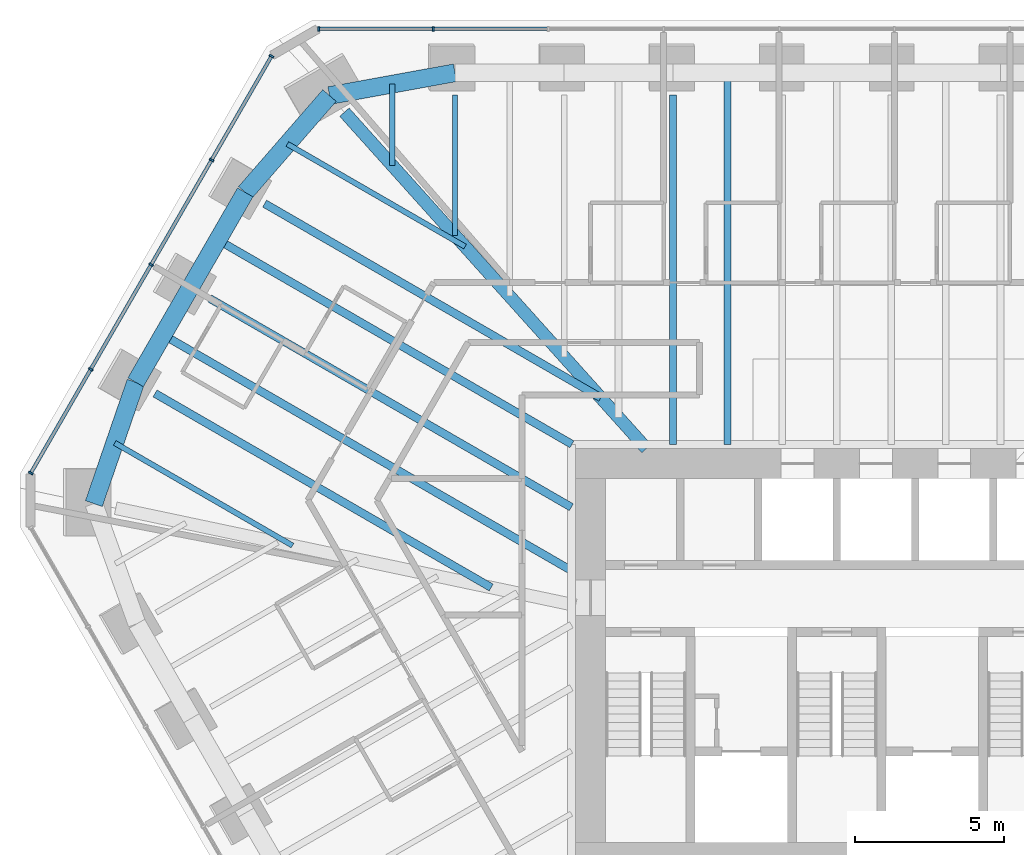
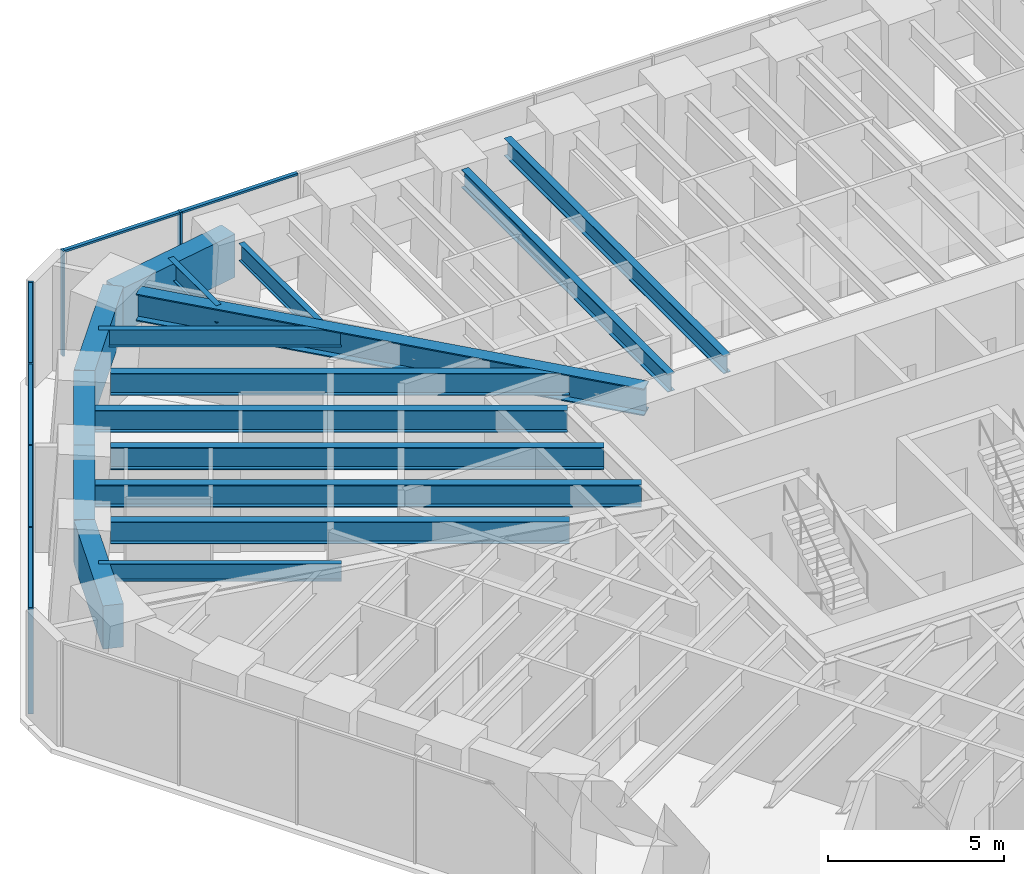
# One storey, part 7 of 17: 17 beams, 13 members, 2 elements without a shape of their own.
"""IFC4 building model written with IfcOpenShell, lengths in metres."""

from ifc_helpers import new_model, si_unit, direction, frame, origin, origin_2d, place, context, subcontext, project, spatial, rectangle, i_section, extrude, material, material_profile, profile_set, type_object, element, aggregate, save


model = new_model("IFC4")

# Units and contexts
model_context = context("Model", 3, precision=1e-05, world=origin(), true_north=direction((0.0, 1.0)))
body_context = subcontext(model_context, "Body", "Model", "MODEL_VIEW")
ifc_project = project(units=[si_unit("LENGTHUNIT", "METRE"), si_unit("AREAUNIT", "SQUARE_METRE"), si_unit("VOLUMEUNIT", "CUBIC_METRE"), si_unit("PLANEANGLEUNIT", "RADIAN"), si_unit("MASSUNIT", "GRAM", prefix="KILO")], contexts=[model_context])

# Site, building, storey
site_placement = place(None, origin())
site = spatial("IfcSite", under=ifc_project, at=site_placement, CompositionType="ELEMENT")
building_placement = place(site_placement, origin())
building = spatial("IfcBuilding", under=site, at=building_placement, Name="Sandreach Pilgrim Tower", CompositionType="ELEMENT")
storey_placement = place(building_placement, frame((0.0, 0.0, 232.60009765625)))
storey = spatial("IfcBuildingStorey", under=building, at=storey_placement, Name="L58", CompositionType="ELEMENT", Elevation=232.60009765625)

# Curtain wall, members
ifc_material_1 = material(Name="Aluminium framed curtain wall", Category="aluminium")
curtain_wall_type = type_object("IfcCurtainWallType", Name="Upper hotel tower curtain wall", PredefinedType="NOTDEFINED", material=ifc_material_1)
curtain_wall_1_placement = place(storey_placement, origin())
curtain_wall_1 = element("IfcCurtainWall", 1, at=curtain_wall_1_placement, inside=storey, type_object=curtain_wall_type, Name="CW-3 L58 N", PredefinedType="NOTDEFINED")
ifc_material_2 = material(Name="Aluminium extrusion", Category="aluminium")
ifc_material_profile_1 = material_profile(ifc_material_2, rectangle(XDim=0.06494140625, YDim=0.159912109375, at=origin_2d()), Name="CW-3M 65X160")
ifc_profile_set_1 = profile_set([ifc_material_profile_1], Name="Aluminium extrusion")
member_type_1 = type_object("IfcMemberType", Name="CW-3 mullion", PredefinedType="MULLION", material=ifc_profile_set_1)
member_1_placement = place(storey_placement, frame((-17.357421875, 21.16015625, 0.0), z_axis=(0.0, 0.0, 1.0), x_axis=(1.0, 0.0, 0.0)))
member_1 = element("IfcMember", 2, at=member_1_placement, type_object=member_type_1, Name="CW-3 mullion 1", PredefinedType="MULLION", context=body_context, shape_type="SweptSolid", body=[
    extrude(rectangle(XDim=0.06494140625, YDim=0.159912109375, at=origin_2d()), origin(), (0.0, 0.0, 1.0), 3.639892578125),
])
member_2_placement = place(storey_placement, frame((-13.525390625, 21.16015625, 0.0), z_axis=(0.0, 0.0, 1.0), x_axis=(1.0, 0.0, 0.0)))
member_2 = element("IfcMember", 3, at=member_2_placement, type_object=member_type_1, Name="CW-3 mullion 2", PredefinedType="MULLION", context=body_context, shape_type="SweptSolid", body=[
    extrude(rectangle(XDim=0.06494140625, YDim=0.159912109375, at=origin_2d()), origin(), (0.0, 0.0, 1.0), 3.639892578125),
])

curtain_wall_2_placement = place(storey_placement, origin())
curtain_wall_2 = element("IfcCurtainWall", 4, at=curtain_wall_2_placement, inside=storey, type_object=curtain_wall_type, Name="CW-3 L58 NW", PredefinedType="NOTDEFINED")
member_3_placement = place(storey_placement, frame((-27.00390625, 6.278076171875, 0.0), z_axis=(0.0, 0.0, 1.0), x_axis=(0.5, 0.866025403784, 0.0)))
member_3 = element("IfcMember", 5, at=member_3_placement, type_object=member_type_1, Name="CW-3 mullion 1", PredefinedType="MULLION", context=body_context, shape_type="SweptSolid", body=[
    extrude(rectangle(XDim=0.06494140625, YDim=0.159912109375, at=origin_2d()), origin(), (0.0, 0.0, 1.0), 3.639892578125),
])
member_4_placement = place(storey_placement, frame((-24.995849609375, 9.75634765625, 0.0), z_axis=(0.0, 0.0, 1.0), x_axis=(0.5, 0.866025403784, 0.0)))
member_4 = element("IfcMember", 6, at=member_4_placement, type_object=member_type_1, Name="CW-3 mullion 2", PredefinedType="MULLION", context=body_context, shape_type="SweptSolid", body=[
    extrude(rectangle(XDim=0.06494140625, YDim=0.159912109375, at=origin_2d()), origin(), (0.0, 0.0, 1.0), 3.639892578125),
])
member_5_placement = place(storey_placement, frame((-22.971435546875, 13.262451171875, 0.0), z_axis=(0.0, 0.0, 1.0), x_axis=(0.5, 0.866025403784, 0.0)))
member_5 = element("IfcMember", 7, at=member_5_placement, type_object=member_type_1, Name="CW-3 mullion 3", PredefinedType="MULLION", context=body_context, shape_type="SweptSolid", body=[
    extrude(rectangle(XDim=0.06494140625, YDim=0.159912109375, at=origin_2d()), origin(), (0.0, 0.0, 1.0), 3.639892578125),
])
member_6_placement = place(storey_placement, frame((-20.947021484375, 16.768798828125, 0.0), z_axis=(0.0, 0.0, 1.0), x_axis=(0.5, 0.866025403784, 0.0)))
member_6 = element("IfcMember", 8, at=member_6_placement, type_object=member_type_1, Name="CW-3 mullion 4", PredefinedType="MULLION", context=body_context, shape_type="SweptSolid", body=[
    extrude(rectangle(XDim=0.06494140625, YDim=0.159912109375, at=origin_2d()), origin(), (0.0, 0.0, 1.0), 3.639892578125),
])
member_7_placement = place(storey_placement, frame((-18.93896484375, 20.2470703125, 0.0), z_axis=(0.0, 0.0, 1.0), x_axis=(0.5, 0.866025403784, 0.0)))
member_7 = element("IfcMember", 9, at=member_7_placement, type_object=member_type_1, Name="CW-3 mullion 5", PredefinedType="MULLION", context=body_context, shape_type="SweptSolid", body=[
    extrude(rectangle(XDim=0.06494140625, YDim=0.159912109375, at=origin_2d()), origin(), (0.0, 0.0, 1.0), 3.639892578125),
])

# Member
ifc_material_3 = material(Name="Aluminium extrusion", Category="aluminium")
ifc_material_profile_2 = material_profile(ifc_material_3, rectangle(XDim=0.1201171875, YDim=0.070068359375, at=origin_2d()), Name="CW-3T 120X70")
ifc_profile_set_2 = profile_set([ifc_material_profile_2], Name="Aluminium extrusion")
member_type_2 = type_object("IfcMemberType", Name="CW-3 transom", PredefinedType="USERDEFINED", material=ifc_profile_set_2)
member_8_placement = place(storey_placement, frame((-17.324951171875, 21.16015625, 3.60498046875), z_axis=(1.0, 0.0, 0.0), x_axis=(0.0, 1.0, 0.0)))
member_8 = element("IfcMember", 10, at=member_8_placement, type_object=member_type_2, Name="CW-3 head transom 1", ObjectType="TRANSOM", PredefinedType="USERDEFINED", context=body_context, shape_type="SweptSolid", body=[
    extrude(rectangle(XDim=0.1201171875, YDim=0.070068359375, at=origin_2d()), origin(), (0.0, 0.0, 1.0), 3.76708984375),
])

member_9_placement = place(storey_placement, frame((-13.492919921875, 21.16015625, 3.60498046875), z_axis=(1.0, 0.0, 0.0), x_axis=(0.0, 1.0, 0.0)))
member_9 = element("IfcMember", 11, at=member_9_placement, type_object=member_type_2, Name="CW-3 head transom 2", ObjectType="TRANSOM", PredefinedType="USERDEFINED", context=body_context, shape_type="SweptSolid", body=[
    extrude(rectangle(XDim=0.1201171875, YDim=0.070068359375, at=origin_2d()), origin(), (0.0, 0.0, 1.0), 3.79931640625),
])

aggregate(curtain_wall_1, [member_1, member_2, member_8, member_9])

member_10_placement = place(storey_placement, frame((-26.987548828125, 6.306396484375, 3.60498046875), z_axis=(0.499993448556, 0.866029186229, 0.0), x_axis=(-0.866029186229, 0.499993448556, 0.0)))
member_10 = element("IfcMember", 12, at=member_10_placement, type_object=member_type_2, Name="CW-3 head transom 1", ObjectType="TRANSOM", PredefinedType="USERDEFINED", context=body_context, shape_type="SweptSolid", body=[
    extrude(rectangle(XDim=0.1201171875, YDim=0.070068359375, at=origin_2d()), origin(), (0.0, 0.0, 1.0), 3.951171875),
])

member_11_placement = place(storey_placement, frame((-24.9794921875, 9.784423828125, 3.60498046875), z_axis=(0.499975332564, 0.866039645067, 0.0), x_axis=(-0.866039645067, 0.499975332564, 0.0)))
member_11 = element("IfcMember", 13, at=member_11_placement, type_object=member_type_2, Name="CW-3 head transom 2", ObjectType="TRANSOM", PredefinedType="USERDEFINED", context=body_context, shape_type="SweptSolid", body=[
    extrude(rectangle(XDim=0.1201171875, YDim=0.070068359375, at=origin_2d()), origin(), (0.0, 0.0, 1.0), 3.983642578125),
])

member_12_placement = place(storey_placement, frame((-22.955078125, 13.290771484375, 3.60498046875), z_axis=(0.499975332564, 0.866039645067, 0.0), x_axis=(-0.866039645067, 0.499975332564, 0.0)))
member_12 = element("IfcMember", 14, at=member_12_placement, type_object=member_type_2, Name="CW-3 head transom 3", ObjectType="TRANSOM", PredefinedType="USERDEFINED", context=body_context, shape_type="SweptSolid", body=[
    extrude(rectangle(XDim=0.1201171875, YDim=0.070068359375, at=origin_2d()), origin(), (0.0, 0.0, 1.0), 3.983642578125),
])

member_13_placement = place(storey_placement, frame((-20.930908203125, 16.796875, 3.60498046875), z_axis=(0.499993448556, 0.866029186229, 0.0), x_axis=(-0.866029186229, 0.499993448556, 0.0)))
member_13 = element("IfcMember", 15, at=member_13_placement, type_object=member_type_2, Name="CW-3 head transom 4", ObjectType="TRANSOM", PredefinedType="USERDEFINED", context=body_context, shape_type="SweptSolid", body=[
    extrude(rectangle(XDim=0.1201171875, YDim=0.070068359375, at=origin_2d()), origin(), (0.0, 0.0, 1.0), 3.951171875),
])

aggregate(curtain_wall_2, [member_3, member_4, member_5, member_6, member_7, member_10, member_11, member_12, member_13])

# Beams
ifc_material_4 = material(Name="Steel ASTM A992 Grade 50", Category="steel")
ifc_material_profile_3 = material_profile(ifc_material_4, i_section(OverallWidth=0.421630859375, OverallDepth=0.937255859375, WebThickness=0.0224609375, FlangeThickness=0.039794921875, at=origin_2d()), Name="W36X282")
ifc_profile_set_3 = profile_set([ifc_material_profile_3], Name="Steel ASTM A992 Grade 50")
beam_type_1 = type_object("IfcBeamType", Name="Corner girder W36X282", PredefinedType="BEAM", material=ifc_profile_set_3)
beam_1_placement = place(storey_placement, frame((-16.49609375, 18.37109375, 3.17138671875), z_axis=(0.668114812204, -0.744058195113, 0.0), x_axis=(0.744058195113, 0.668114812204, 0.0)))
element("IfcBeam", 16, at=beam_1_placement, inside=storey, type_object=beam_type_1, Name="BM L58 CG39", PredefinedType="BEAM", context=body_context, shape_type="SweptSolid", body=[
    extrude(i_section(OverallWidth=0.421630859375, OverallDepth=0.937255859375, WebThickness=0.0224609375, FlangeThickness=0.039794921875, at=origin_2d()), origin(), (0.0, 0.0, 1.0), 15.14794921875),
])
ifc_material_5 = material(Name="Steel ASTM A992 Grade 50", Category="steel")
ifc_material_profile_4 = material_profile(ifc_material_5, i_section(OverallWidth=0.1787109375, OverallDepth=0.60205078125, WebThickness=0.010986328125, FlangeThickness=0.014892578125, at=origin_2d()), Name="W24X62")
ifc_profile_set_4 = profile_set([ifc_material_profile_4], Name="Steel ASTM A992 Grade 50")
beam_type_2 = type_object("IfcBeamType", Name="Floor beam W24X62", PredefinedType="BEAM", material=ifc_profile_set_4)
beam_2_placement = place(storey_placement, frame((-12.788818359375, 18.9423828125, 3.3388671875), z_axis=(0.0, -1.0, 0.0), x_axis=(1.0, 0.0, 0.0)))
element("IfcBeam", 17, at=beam_2_placement, inside=storey, type_object=beam_type_2, Name="BM L58 F01", PredefinedType="BEAM", context=body_context, shape_type="SweptSolid", body=[
    extrude(i_section(OverallWidth=0.1787109375, OverallDepth=0.60205078125, WebThickness=0.010986328125, FlangeThickness=0.014892578125, at=origin_2d()), origin(), (0.0, 0.0, 1.0), 4.699951171875),
])
for number, where, z_axis, x_axis, name in (
    (18, (-24.191650390625, 7.2890625, 3.3388671875), (0.866019478611, -0.500010262561, 0.0), (0.500010262561, 0.866019478611, 0.0), "BM L58 FM35"),
    (19, (-18.408203125, 17.30615234375, 3.3388671875), (0.866019478611, -0.500010262561, 0.0), (0.500010262561, 0.866019478611, 0.0), "BM L58 FM38"),
):
    element("IfcBeam", number, at=place(storey_placement, frame(where, z_axis=z_axis, x_axis=x_axis)), inside=storey, type_object=beam_type_2, Name=name, PredefinedType="BEAM", context=body_context, shape_type="SweptSolid", body=[
        extrude(i_section(OverallWidth=0.1787109375, OverallDepth=0.60205078125, WebThickness=0.010986328125, FlangeThickness=0.014892578125, at=origin_2d()), origin(), (0.0, 0.0, 1.0), 6.877685546875),
    ])
beam_3_placement = place(storey_placement, frame((-14.89306640625, 19.310791015625, 3.3388671875), z_axis=(0.0, -1.0, 0.0), x_axis=(1.0, 0.0, 0.0)))
element("IfcBeam", 20, at=beam_3_placement, inside=storey, type_object=beam_type_2, Name="BM L58 FM39", PredefinedType="BEAM", context=body_context, shape_type="SweptSolid", body=[
    extrude(i_section(OverallWidth=0.1787109375, OverallDepth=0.60205078125, WebThickness=0.010986328125, FlangeThickness=0.014892578125, at=origin_2d()), origin(), (0.0, 0.0, 1.0), 2.72509765625),
])
ifc_material_6 = material(Name="Steel ASTM A992 Grade 50", Category="steel")
ifc_material_profile_5 = material_profile(ifc_material_6, i_section(OverallWidth=0.23046875, OverallDepth=0.6171875, WebThickness=0.01318359375, FlangeThickness=0.022216796875, at=origin_2d()), Name="W24X94")
ifc_profile_set_5 = profile_set([ifc_material_profile_5], Name="Steel ASTM A992 Grade 50")
beam_type_3 = type_object("IfcBeamType", Name="Floor beam W24X94", PredefinedType="BEAM", material=ifc_profile_set_5)
beam_4_placement = place(storey_placement, frame((-5.48095703125, 18.9423828125, 3.331298828125), z_axis=(0.0, -1.0, 0.0), x_axis=(1.0, 0.0, 0.0)))
element("IfcBeam", 21, at=beam_4_placement, inside=storey, type_object=beam_type_3, Name="BM L58 F03", PredefinedType="BEAM", context=body_context, shape_type="SweptSolid", body=[
    extrude(i_section(OverallWidth=0.23046875, OverallDepth=0.6171875, WebThickness=0.01318359375, FlangeThickness=0.022216796875, at=origin_2d()), origin(), (0.0, 0.0, 1.0), 11.698974609375),
])
beam_5_placement = place(storey_placement, frame((-3.654052734375, 19.6923828125, 3.331298828125), z_axis=(0.0, -1.0, 0.0), x_axis=(1.0, 0.0, 0.0)))
element("IfcBeam", 22, at=beam_5_placement, inside=storey, type_object=beam_type_3, Name="BM L58 FM03", PredefinedType="BEAM", context=body_context, shape_type="SweptSolid", body=[
    extrude(i_section(OverallWidth=0.23046875, OverallDepth=0.6171875, WebThickness=0.01318359375, FlangeThickness=0.022216796875, at=origin_2d()), origin(), (0.0, 0.0, 1.0), 12.448974609375),
])
ifc_material_7 = material(Name="Steel ASTM A992 Grade 50", Category="steel")
ifc_material_profile_6 = material_profile(ifc_material_7, i_section(OverallWidth=0.2666015625, OverallDepth=0.761962890625, WebThickness=0.014404296875, FlangeThickness=0.021484375, at=origin_2d()), Name="W30X116")
ifc_profile_set_6 = profile_set([ifc_material_profile_6], Name="Steel ASTM A992 Grade 50")
beam_type_4 = type_object("IfcBeamType", Name="Floor beam W30X116", PredefinedType="BEAM", material=ifc_profile_set_6)
beam_6_placement = place(storey_placement, frame((-22.842041015625, 8.947509765625, 3.2587890625), z_axis=(0.866021155162, -0.500007358757, 0.0), x_axis=(0.500007358757, 0.866021155162, 0.0)))
element("IfcBeam", 23, at=beam_6_placement, inside=storey, type_object=beam_type_4, Name="BM L58 F36", PredefinedType="BEAM", context=body_context, shape_type="SweptSolid", body=[
    extrude(i_section(OverallWidth=0.2666015625, OverallDepth=0.761962890625, WebThickness=0.014404296875, FlangeThickness=0.021484375, at=origin_2d()), origin(), (0.0, 0.0, 1.0), 13.005615234375),
])
beam_7_placement = place(storey_placement, frame((-21.005859375, 12.127685546875, 3.2587890625), z_axis=(0.86602600019, -0.499998966993, 0.0), x_axis=(0.499998966993, 0.86602600019, 0.0)))
element("IfcBeam", 24, at=beam_7_placement, inside=storey, type_object=beam_type_4, Name="BM L58 F37", PredefinedType="BEAM", context=body_context, shape_type="SweptSolid", body=[
    extrude(i_section(OverallWidth=0.2666015625, OverallDepth=0.761962890625, WebThickness=0.014404296875, FlangeThickness=0.021484375, at=origin_2d()), origin(), (0.0, 0.0, 1.0), 13.986328125),
])
beam_8_placement = place(storey_placement, frame((-19.169677734375, 15.30810546875, 3.2587890625), z_axis=(0.866021155162, -0.500007358757, 0.0), x_axis=(0.500007358757, 0.866021155162, 0.0)))
element("IfcBeam", 25, at=beam_8_placement, inside=storey, type_object=beam_type_4, Name="BM L58 F38", PredefinedType="BEAM", context=body_context, shape_type="SweptSolid", body=[
    extrude(i_section(OverallWidth=0.2666015625, OverallDepth=0.761962890625, WebThickness=0.014404296875, FlangeThickness=0.021484375, at=origin_2d()), origin(), (0.0, 0.0, 1.0), 13.005615234375),
])
beam_9_placement = place(storey_placement, frame((-20.7373046875, 14.0927734375, 3.2587890625), z_axis=(0.866031260823, -0.499989855175, 0.0), x_axis=(0.499989855175, 0.866031260823, 0.0)))
element("IfcBeam", 26, at=beam_9_placement, inside=storey, type_object=beam_type_4, Name="BM L58 FM37", PredefinedType="BEAM", context=body_context, shape_type="SweptSolid", body=[
    extrude(i_section(OverallWidth=0.2666015625, OverallDepth=0.761962890625, WebThickness=0.014404296875, FlangeThickness=0.021484375, at=origin_2d()), origin(), (0.0, 0.0, 1.0), 13.698974609375),
])
ifc_material_8 = material(Name="Steel ASTM A992 Grade 50", Category="steel")
ifc_material_profile_7 = material_profile(ifc_material_8, i_section(OverallWidth=0.2666015625, OverallDepth=0.77978515625, WebThickness=0.0166015625, FlangeThickness=0.030029296875, at=origin_2d()), Name="W30X148")
ifc_profile_set_7 = profile_set([ifc_material_profile_7], Name="Steel ASTM A992 Grade 50")
beam_type_5 = type_object("IfcBeamType", Name="Floor beam W30X148", PredefinedType="BEAM", material=ifc_profile_set_7)
beam_10_placement = place(storey_placement, frame((-22.573486328125, 10.91259765625, 3.25), z_axis=(0.866027043304, -0.499997160258, 0.0), x_axis=(0.499997160258, 0.866027043304, 0.0)))
element("IfcBeam", 27, at=beam_10_placement, inside=storey, type_object=beam_type_5, Name="BM L58 FM36", PredefinedType="BEAM", context=body_context, shape_type="SweptSolid", body=[
    extrude(i_section(OverallWidth=0.2666015625, OverallDepth=0.77978515625, WebThickness=0.0166015625, FlangeThickness=0.030029296875, at=origin_2d()), origin(), (0.0, 0.0, 1.0), 15.79638671875),
])
ifc_material_9 = material(Name="Concrete 10000 psi", Category="concrete")
ifc_material_profile_8 = material_profile(ifc_material_9, rectangle(XDim=0.60009765625, YDim=1.5, at=origin_2d()), Name="RC600X1500")
ifc_profile_set_8 = profile_set([ifc_material_profile_8], Name="Concrete 10000 psi")
beam_type_6 = type_object("IfcBeamType", Name="Spandrel beam RC600X1500", PredefinedType="SPANDREL", material=ifc_profile_set_8)
beam_11_placement = place(storey_placement, frame((-24.8916015625, 5.25537109375, 2.889892578125), z_axis=(0.325509611894, 0.945538731393, 0.0), x_axis=(-0.945538731393, 0.325509611894, 0.0)))
element("IfcBeam", 28, at=beam_11_placement, inside=storey, type_object=beam_type_6, Name="BM L58 SP35", PredefinedType="SPANDREL", context=body_context, shape_type="SweptSolid", body=[
    extrude(rectangle(XDim=0.60009765625, YDim=1.5, at=origin_2d()), origin(), (0.0, 0.0, 1.0), 4.301513671875),
])
beam_12_placement = place(storey_placement, frame((-23.491455078125, 9.322509765625, 2.889892578125), z_axis=(0.499971846079, 0.866041657848, 0.0), x_axis=(-0.866041657848, 0.499971846079, 0.0)))
element("IfcBeam", 29, at=beam_12_placement, inside=storey, type_object=beam_type_6, Name="BM L58 SP36", PredefinedType="SPANDREL", context=body_context, shape_type="SweptSolid", body=[
    extrude(rectangle(XDim=0.60009765625, YDim=1.5, at=origin_2d()), origin(), (0.0, 0.0, 1.0), 3.672119140625),
])
beam_13_placement = place(storey_placement, frame((-21.655517578125, 12.502685546875, 2.889892578125), z_axis=(0.499992922065, 0.866029490193, 0.0), x_axis=(-0.866029490193, 0.499992922065, 0.0)))
element("IfcBeam", 30, at=beam_13_placement, inside=storey, type_object=beam_type_6, Name="BM L58 SP37", PredefinedType="SPANDREL", context=body_context, shape_type="SweptSolid", body=[
    extrude(rectangle(XDim=0.60009765625, YDim=1.5, at=origin_2d()), origin(), (0.0, 0.0, 1.0), 3.67236328125),
])
beam_14_placement = place(storey_placement, frame((-19.8193359375, 15.68310546875, 2.889892578125), z_axis=(0.656122504965, 0.754654396714, 0.0), x_axis=(-0.754654396714, 0.656122504965, 0.0)))
element("IfcBeam", 31, at=beam_14_placement, inside=storey, type_object=beam_type_6, Name="BM L58 SP38", PredefinedType="SPANDREL", context=body_context, shape_type="SweptSolid", body=[
    extrude(rectangle(XDim=0.60009765625, YDim=1.5, at=origin_2d()), origin(), (0.0, 0.0, 1.0), 4.301513671875),
])
beam_15_placement = place(storey_placement, frame((-16.9970703125, 18.92919921875, 2.889892578125), z_axis=(0.983950184514, 0.178443364669, 0.0), x_axis=(-0.178443364669, 0.983950184514, 0.0)))
element("IfcBeam", 32, at=beam_15_placement, inside=storey, type_object=beam_type_6, Name="BM L58 SP39", PredefinedType="SPANDREL", context=body_context, shape_type="SweptSolid", body=[
    extrude(rectangle(XDim=0.60009765625, YDim=1.5, at=origin_2d()), origin(), (0.0, 0.0, 1.0), 4.27685546875),
])

save(model, "model.ifc")
